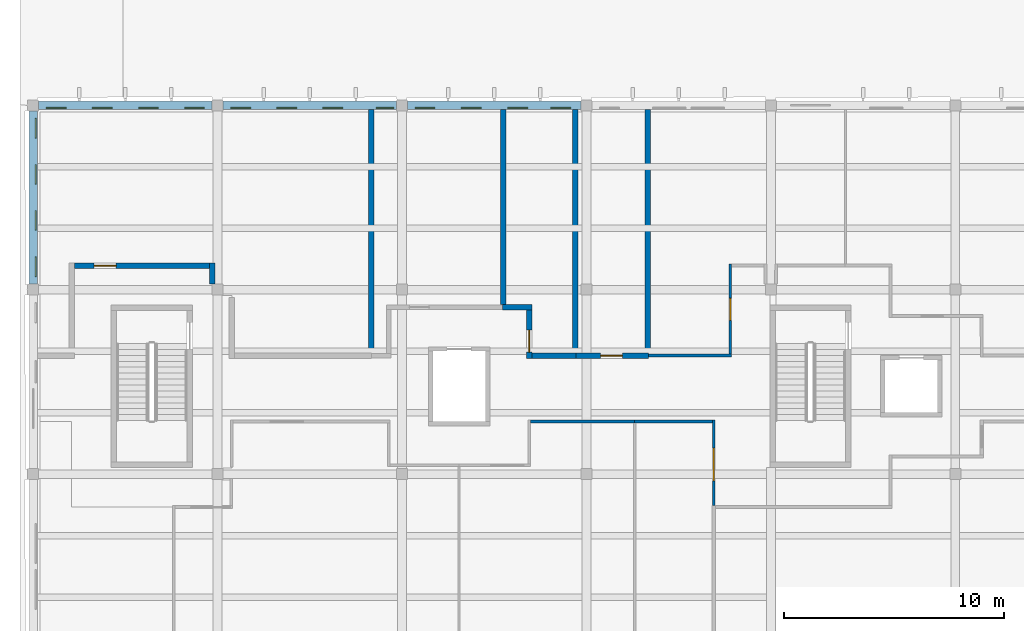
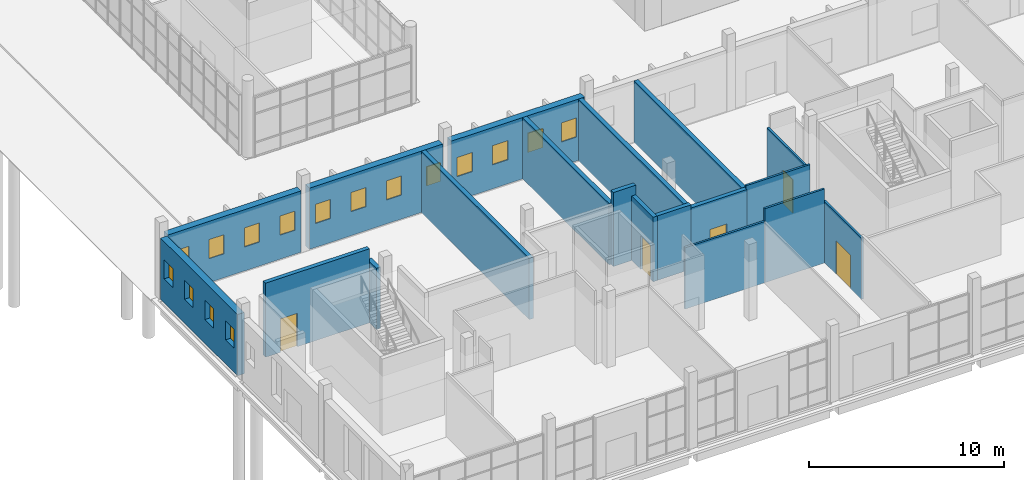
# One storey, part 54 of 110: 19 walls, 16 windows, 5 doors, 21 openings.
"""IFC4 building model written with IfcOpenShell, lengths in metres."""

from ifc_helpers import new_model, si_unit, direction, frame, frame_2d, origin, place, context, subcontext, project, spatial, rectangle, extrude, material, layer, layer_set, type_object, element, fill, save


model = new_model("IFC4")

# Units and contexts
model_context = context("Model", 3, precision=1e-05, world=origin(), true_north=direction((0.0, 1.0)))
body_context = subcontext(model_context, "Body", "Model", "MODEL_VIEW")
ifc_project = project(units=[si_unit("LENGTHUNIT", "METRE"), si_unit("AREAUNIT", "SQUARE_METRE"), si_unit("VOLUMEUNIT", "CUBIC_METRE"), si_unit("PLANEANGLEUNIT", "RADIAN"), si_unit("MASSUNIT", "GRAM", prefix="KILO")], contexts=[model_context])

# Site, building, storey
site_placement = place(None, origin())
site = spatial("IfcSite", under=ifc_project, at=site_placement, CompositionType="ELEMENT")
building_placement = place(site_placement, origin())
building = spatial("IfcBuilding", under=site, at=building_placement, Name="Larchfold Concert Hall", CompositionType="ELEMENT")
storey_placement = place(building_placement, origin())
storey = spatial("IfcBuildingStorey", under=building, at=storey_placement, Name="L00", CompositionType="ELEMENT", Elevation=0.0)

# Wall
ifc_material_1 = material(Name="Plasterboard partition on steel studs", Category="steel")
ifc_layer_1 = layer(ifc_material_1, 0.125)
ifc_layer_set_1 = layer_set([ifc_layer_1], Name="Plasterboard partition on steel studs")
wall_type_1 = type_object("IfcWallType", Name="Corridor partition 125 EI 60", PredefinedType="PARTITIONING", material=ifc_layer_set_1)
wall_1_placement = place(storey_placement, frame((23.262451171875, 11.39990234375, 0.0), z_axis=(0.0, 0.0, 1.0), x_axis=(1.0, 0.0, 0.0)))
element("IfcWall", 1, at=wall_1_placement, inside=storey, type_object=wall_type_1, Name="Partition IW0126", PredefinedType="PARTITIONING", context=body_context, shape_type="SweptSolid", body=[
    extrude(rectangle(XDim=4.737548828125, YDim=0.125, at=frame_2d((2.36865234375, 0.0))), origin(), (0.0, 0.0, 1.0), 3.840087890625),
])

# Wall, opening, door
wall_2_placement = place(storey_placement, frame((31.60009765625, 11.46240234375, 0.0), z_axis=(0.0, 0.0, 1.0), x_axis=(0.0, -1.0, 0.0)))
wall_2 = element("IfcWall", 2, at=wall_2_placement, inside=storey, type_object=wall_type_1, Name="Partition IW0127", PredefinedType="PARTITIONING", context=body_context, shape_type="SweptSolid", body=[
    extrude(rectangle(XDim=3.887451171875, YDim=0.125, at=frame_2d((1.94384765625, 0.0))), origin(), (0.0, 0.0, 1.0), 3.840087890625),
])
opening_1_placement = place(wall_2_placement, frame((1.272216796875, 0.0, 0.0)))
opening_1 = element("IfcOpeningElement", 3, at=opening_1_placement, cuts=wall_2, Name="Opening D-L00-140", PredefinedType="OPENING", context=body_context, shape_type="SweptSolid", body=[
    extrude(rectangle(XDim=1.5, YDim=2.10009765625, at=frame_2d((0.75, 1.050048828125))), frame((0.0, 0.072509765625, 0.0), z_axis=(0.0, -1.0, 0.0), x_axis=(1.0, 0.0, 0.0)), (0.0, 0.0, 1.0), 0.14501953125),
])
ifc_material_2 = material(Name="Timber door leaf", Category="wood")
door_type_1 = type_object("IfcDoorType", Name="Cafe, shop and cloakroom door pair 1500 x 2100 FD30S", OperationType="SINGLE_SWING_LEFT", PredefinedType="DOOR", material=ifc_material_2)
door_1_placement = place(opening_1_placement, origin())
door_1 = element("IfcDoor", 4, at=door_1_placement, inside=storey, type_object=door_type_1, Name="Door D-L00-140", OperationType="DOUBLE_DOOR_SINGLE_SWING", OverallHeight=2.10009765625, OverallWidth=1.5, PredefinedType="DOOR", context=body_context, shape_type="SweptSolid", body=[
    extrude(rectangle(XDim=1.5, YDim=2.10009765625, at=frame_2d((0.75, 1.050048828125))), frame((0.0, 0.02490234375, 0.0), z_axis=(0.0, -1.0, 0.0), x_axis=(1.0, 0.0, 0.0)), (0.0, 0.0, 1.0), 0.050048828125),
])
fill(opening_1, door_1)

# Walls
wall_3_placement = place(storey_placement, frame((28.0, 11.39990234375, 0.0), z_axis=(0.0, 0.0, 1.0), x_axis=(1.0, 0.0, 0.0)))
element("IfcWall", 5, at=wall_3_placement, inside=storey, type_object=wall_type_1, Name="Partition IW0128", PredefinedType="PARTITIONING", context=body_context, shape_type="SweptSolid", body=[
    extrude(rectangle(XDim=3.53759765625, YDim=0.125, at=frame_2d((1.768798828125, 0.0))), origin(), (0.0, 0.0, 1.0), 4.639892578125),
])
wall_4_placement = place(storey_placement, frame((28.6201171875, 14.39892578125, 0.0), z_axis=(0.0, 0.0, 1.0), x_axis=(1.0, 0.0, 0.0)))
element("IfcWall", 6, at=wall_4_placement, inside=storey, type_object=wall_type_1, Name="Partition IW0149", PredefinedType="PARTITIONING", context=body_context, shape_type="SweptSolid", body=[
    extrude(rectangle(XDim=3.79248046875, YDim=0.125, at=frame_2d((1.896240234375, 0.0))), origin(), (0.0, 0.0, 1.0), 4.0400390625),
])

# Wall, opening, door
wall_5_placement = place(storey_placement, frame((32.35009765625, 14.46142578125, 0.0), z_axis=(0.0, 0.0, 1.0), x_axis=(0.000238180296, 0.999999971635, 0.0)))
wall_5 = element("IfcWall", 7, at=wall_5_placement, inside=storey, type_object=wall_type_1, Name="Partition IW0150", PredefinedType="PARTITIONING", context=body_context, shape_type="SweptSolid", body=[
    extrude(rectangle(XDim=4.10009765625, YDim=0.125, at=frame_2d((2.050048828125, 0.0))), origin(), (0.0, 0.0, 1.0), 3.840087890625),
])
opening_2_placement = place(wall_5_placement, frame((1.539794921875, 0.0, 0.0)))
opening_2 = element("IfcOpeningElement", 8, at=opening_2_placement, cuts=wall_5, Name="Opening D-L00-148", PredefinedType="OPENING", context=body_context, shape_type="SweptSolid", body=[
    extrude(rectangle(XDim=1.0, YDim=2.10009765625, at=frame_2d((0.5, 1.050048828125))), frame((0.0, 0.072509765625, 0.0), z_axis=(0.0, -1.0, 0.0), x_axis=(1.0, 0.0, 0.0)), (0.0, 0.0, 1.0), 0.14501953125),
])
ifc_material_3 = material(Name="Timber door leaf", Category="wood")
door_type_2 = type_object("IfcDoorType", Name="Room door 1000 x 2100 FD30S", OperationType="SINGLE_SWING_LEFT", PredefinedType="DOOR", material=ifc_material_3)
door_2_placement = place(opening_2_placement, origin())
door_2 = element("IfcDoor", 9, at=door_2_placement, inside=storey, type_object=door_type_2, Name="Door D-L00-148", OperationType="SINGLE_SWING_LEFT", OverallHeight=2.10009765625, OverallWidth=1.0, PredefinedType="DOOR", context=body_context, shape_type="SweptSolid", body=[
    extrude(rectangle(XDim=1.0, YDim=2.10009765625, at=frame_2d((0.5, 1.050048828125))), frame((0.0, 0.02490234375, 0.0), z_axis=(0.0, -1.0, 0.0), x_axis=(1.0, 0.0, 0.0)), (0.0, 0.0, 1.0), 0.050048828125),
])
fill(opening_2, door_2)

ifc_material_4 = material(Name="Plasterboard partition on steel studs", Category="steel")
ifc_layer_2 = layer(ifc_material_4, 0.25)
ifc_layer_set_2 = layer_set([ifc_layer_2], Name="Plasterboard partition on steel studs")
wall_type_2 = type_object("IfcWallType", Name="Hall acoustic double-leaf partition 250", PredefinedType="PARTITIONING", material=ifc_layer_set_2)
wall_6_placement = place(storey_placement, frame((2.47607421875, 18.4990234375, 0.0), z_axis=(0.0, 0.0, 1.0), x_axis=(1.0, 0.0, 0.0)))
wall_6 = element("IfcWall", 10, at=wall_6_placement, inside=storey, type_object=wall_type_2, Name="Partition IW0131", PredefinedType="PARTITIONING", context=body_context, shape_type="SweptSolid", body=[
    extrude(rectangle(XDim=6.158935546875, YDim=0.25, at=frame_2d((3.07958984375, 0.0))), origin(), (0.0, 0.0, 1.0), 4.639892578125),
])
opening_3_placement = place(wall_6_placement, frame((0.899658203125, 0.0, 0.0)))
opening_3 = element("IfcOpeningElement", 11, at=opening_3_placement, cuts=wall_6, Name="Opening D-L00-141", PredefinedType="OPENING", context=body_context, shape_type="SweptSolid", body=[
    extrude(rectangle(XDim=1.0, YDim=2.10009765625, at=frame_2d((0.5, 1.050048828125))), frame((0.0, 0.135009765625, 0.0), z_axis=(0.0, -1.0, 0.0), x_axis=(1.0, 0.0, 0.0)), (0.0, 0.0, 1.0), 0.27001953125),
])
ifc_material_5 = material(Name="Timber door leaf", Category="wood")
door_type_3 = type_object("IfcDoorType", Name="Practice and studio door, acoustic 1000 x 2100 FD30S", OperationType="SINGLE_SWING_LEFT", PredefinedType="DOOR", material=ifc_material_5)
door_3_placement = place(opening_3_placement, origin())
door_3 = element("IfcDoor", 12, at=door_3_placement, inside=storey, type_object=door_type_3, Name="Door D-L00-141", OperationType="SINGLE_SWING_LEFT", OverallHeight=2.10009765625, OverallWidth=1.0, PredefinedType="DOOR", context=body_context, shape_type="SweptSolid", body=[
    extrude(rectangle(XDim=1.0, YDim=2.10009765625, at=frame_2d((0.5, 1.050048828125))), frame((0.0, 0.02490234375, 0.0), z_axis=(0.0, -1.0, 0.0), x_axis=(1.0, 0.0, 0.0)), (0.0, 0.0, 1.0), 0.050048828125),
])
fill(opening_3, door_3)

# Walls
wall_7_placement = place(storey_placement, frame((8.759521484375, 18.6240234375, 0.0), z_axis=(0.0, 0.0, 1.0), x_axis=(0.0035823721, -0.999993583284, 0.0)))
element("IfcWall", 13, at=wall_7_placement, inside=storey, type_object=wall_type_2, Name="Partition IW0132", PredefinedType="PARTITIONING", context=body_context, shape_type="SweptSolid", body=[
    extrude(rectangle(XDim=0.9541015625, YDim=0.25, at=frame_2d((0.47705078125, 0.0))), origin(), (0.0, 0.0, 1.0), 3.840087890625),
])
wall_8_placement = place(storey_placement, frame((21.97998046875, 16.59912109375, 0.0), z_axis=(0.0, 0.0, 1.0), x_axis=(1.0, 0.0, 0.0)))
element("IfcWall", 14, at=wall_8_placement, inside=storey, type_object=wall_type_2, Name="Partition IW0135", PredefinedType="PARTITIONING", context=body_context, shape_type="SweptSolid", body=[
    extrude(rectangle(XDim=1.343994140625, YDim=0.25, at=frame_2d((0.671875, 0.0))), origin(), (0.0, 0.0, 1.0), 4.639892578125),
])

# Wall, opening, door
wall_9_placement = place(storey_placement, frame((23.198974609375, 16.47412109375, 0.0), z_axis=(0.0, 0.0, 1.0), x_axis=(0.000443852597, -0.999999901497, 0.0)))
wall_9 = element("IfcWall", 15, at=wall_9_placement, inside=storey, type_object=wall_type_2, Name="Partition IW0136", PredefinedType="PARTITIONING", context=body_context, shape_type="SweptSolid", body=[
    extrude(rectangle(XDim=2.2001953125, YDim=0.25, at=frame_2d((1.10009765625, 0.0))), origin(), (0.0, 0.0, 1.0), 4.0400390625),
])
opening_4_placement = place(wall_9_placement, frame((0.91455078125, 0.0, 0.0)))
opening_4 = element("IfcOpeningElement", 16, at=opening_4_placement, cuts=wall_9, Name="Opening D-L00-142", PredefinedType="OPENING", context=body_context, shape_type="SweptSolid", body=[
    extrude(rectangle(XDim=1.0, YDim=2.10009765625, at=frame_2d((0.5, 1.050048828125))), frame((0.0, 0.135009765625, 0.0), z_axis=(0.0, -1.0, 0.0), x_axis=(1.0, 0.0, 0.0)), (0.0, 0.0, 1.0), 0.27001953125),
])
door_4_placement = place(opening_4_placement, origin())
door_4 = element("IfcDoor", 17, at=door_4_placement, inside=storey, type_object=door_type_3, Name="Door D-L00-142", OperationType="SINGLE_SWING_RIGHT", OverallHeight=2.10009765625, OverallWidth=1.0, PredefinedType="DOOR", context=body_context, shape_type="SweptSolid", body=[
    extrude(rectangle(XDim=1.0, YDim=2.10009765625, at=frame_2d((0.5, 1.050048828125))), frame((0.0, 0.02490234375, 0.0), z_axis=(0.0, -1.0, 0.0), x_axis=(1.0, 0.0, 0.0)), (0.0, 0.0, 1.0), 0.050048828125),
])
fill(opening_4, door_4)

# Wall
wall_10_placement = place(storey_placement, frame((23.324951171875, 14.39892578125, 0.0), z_axis=(0.0, 0.0, 1.0), x_axis=(1.0, 0.0, 0.0)))
element("IfcWall", 18, at=wall_10_placement, inside=storey, type_object=wall_type_2, Name="Partition IW0137", PredefinedType="PARTITIONING", context=body_context, shape_type="SweptSolid", body=[
    extrude(rectangle(XDim=1.9951171875, YDim=0.25, at=frame_2d((0.99755859375, 0.0))), origin(), (0.0, 0.0, 1.0), 4.0400390625),
])

# Wall, opening, door
wall_11_placement = place(storey_placement, frame((25.320068359375, 14.39892578125, 0.0), z_axis=(0.0, 0.0, 1.0), x_axis=(1.0, 0.0, 0.0)))
wall_11 = element("IfcWall", 19, at=wall_11_placement, inside=storey, type_object=wall_type_2, Name="Partition IW0138", PredefinedType="PARTITIONING", context=body_context, shape_type="SweptSolid", body=[
    extrude(rectangle(XDim=3.300048828125, YDim=0.25, at=frame_2d((1.64990234375, 0.0))), origin(), (0.0, 0.0, 1.0), 3.840087890625),
])
opening_5_placement = place(wall_11_placement, frame((1.12060546875, 0.0, 0.0)))
opening_5 = element("IfcOpeningElement", 20, at=opening_5_placement, cuts=wall_11, Name="Opening D-L00-143", PredefinedType="OPENING", context=body_context, shape_type="SweptSolid", body=[
    extrude(rectangle(XDim=1.0, YDim=2.10009765625, at=frame_2d((0.5, 1.050048828125))), frame((0.0, 0.135009765625, 0.0), z_axis=(0.0, -1.0, 0.0), x_axis=(1.0, 0.0, 0.0)), (0.0, 0.0, 1.0), 0.27001953125),
])
door_5_placement = place(opening_5_placement, origin())
door_5 = element("IfcDoor", 21, at=door_5_placement, inside=storey, type_object=door_type_3, Name="Door D-L00-143", OperationType="SINGLE_SWING_RIGHT", OverallHeight=2.10009765625, OverallWidth=1.0, PredefinedType="DOOR", context=body_context, shape_type="SweptSolid", body=[
    extrude(rectangle(XDim=1.0, YDim=2.10009765625, at=frame_2d((0.5, 1.050048828125))), frame((0.0, 0.02490234375, 0.0), z_axis=(0.0, -1.0, 0.0), x_axis=(1.0, 0.0, 0.0)), (0.0, 0.0, 1.0), 0.050048828125),
])
fill(opening_5, door_5)

# Walls
for number, where, z_axis, x_axis, name in (
    (22, (16.0, 25.60009765625, 0.0), (0.0, 0.0, 1.0), (0.0, -1.0, 0.0), "Partition IW0156"),
    (23, (25.300048828125, 25.60009765625, 0.0), (0.0, 0.0, 1.0), (0.0, -1.0, 0.0), "Partition IW0157"),
):
    element("IfcWall", number, at=place(storey_placement, frame(where, z_axis=z_axis, x_axis=x_axis)), inside=storey, type_object=wall_type_2, Name=name, PredefinedType="PARTITIONING", context=body_context, shape_type="SweptSolid", body=[
        extrude(rectangle(XDim=11.0751953125, YDim=0.25, at=frame_2d((5.53759765625, 0.0))), origin(), (0.0, 0.0, 1.0), 3.840087890625),
    ])
wall_12_placement = place(storey_placement, frame((22.0, 16.72509765625, 0.0), z_axis=(0.0, 0.0, 1.0), x_axis=(0.0, 1.0, 0.0)))
element("IfcWall", 24, at=wall_12_placement, inside=storey, type_object=wall_type_2, Name="Partition IW0158", PredefinedType="PARTITIONING", context=body_context, shape_type="SweptSolid", body=[
    extrude(rectangle(XDim=8.875, YDim=0.25, at=frame_2d((4.4375, 0.0))), origin(), (0.0, 0.0, 1.0), 3.840087890625),
])
wall_13_placement = place(storey_placement, frame((28.60009765625, 25.60009765625, 0.0), z_axis=(0.0, 0.0, 1.0), x_axis=(0.0, -1.0, 0.0)))
element("IfcWall", 25, at=wall_13_placement, inside=storey, type_object=wall_type_2, Name="Partition IW0159", PredefinedType="PARTITIONING", context=body_context, shape_type="SweptSolid", body=[
    extrude(rectangle(XDim=11.0751953125, YDim=0.25, at=frame_2d((5.53759765625, 0.0))), origin(), (0.0, 0.0, 1.0), 3.840087890625),
])

# Wall, openings, windows
ifc_material_6 = material(Name="Larch cladding on mineral wool and CLT", Category="wood")
ifc_layer_3 = layer(ifc_material_6, 0.39990234375)
ifc_layer_set_3 = layer_set([ifc_layer_3], Name="Larch cladding on mineral wool and CLT")
wall_type_3 = type_object("IfcWallType", Name="Larch clad infill wall 400", PredefinedType="SOLIDWALL", material=ifc_layer_set_3)
wall_14_placement = place(storey_placement, frame((25.550048828125, 25.800048828125, 0.0), z_axis=(0.0, 0.0, 1.0), x_axis=(-1.0, 0.0, 0.0)))
wall_14 = element("IfcWall", 26, at=wall_14_placement, inside=storey, type_object=wall_type_3, Name="Infill wall W5008", PredefinedType="SOLIDWALL", context=body_context, shape_type="SweptSolid", body=[
    extrude(rectangle(XDim=7.900146484375, YDim=0.39990234375, at=frame_2d((3.9501953125, 0.0))), origin(), (0.0, 0.0, 1.0), 3.840087890625),
])
opening_6_placement = place(wall_14_placement, frame((6.650146484375, 0.0, 1.5)))
opening_6 = element("IfcOpeningElement", 27, at=opening_6_placement, cuts=wall_14, Name="Opening WN-L00-012", PredefinedType="OPENING", context=body_context, shape_type="SweptSolid", body=[
    extrude(rectangle(XDim=0.89990234375, YDim=1.199951171875, at=frame_2d((0.449951171875, 0.60009765625))), frame((0.0, 0.2099609375, 0.0), z_axis=(0.0, -1.0, 0.0), x_axis=(1.0, 0.0, 0.0)), (0.0, 0.0, 1.0), 0.419921875),
])
opening_7_placement = place(wall_14_placement, frame((4.550048828125, 0.0, 1.5)))
opening_7 = element("IfcOpeningElement", 28, at=opening_7_placement, cuts=wall_14, Name="Opening WN-L00-013", PredefinedType="OPENING", context=body_context, shape_type="SweptSolid", body=[
    extrude(rectangle(XDim=0.89990234375, YDim=1.199951171875, at=frame_2d((0.449951171875, 0.60009765625))), frame((0.0, 0.2099609375, 0.0), z_axis=(0.0, -1.0, 0.0), x_axis=(1.0, 0.0, 0.0)), (0.0, 0.0, 1.0), 0.419921875),
])
opening_8_placement = place(wall_14_placement, frame((2.425048828125, 0.0, 1.5)))
opening_8 = element("IfcOpeningElement", 29, at=opening_8_placement, cuts=wall_14, Name="Opening WN-L00-014", PredefinedType="OPENING", context=body_context, shape_type="SweptSolid", body=[
    extrude(rectangle(XDim=0.89990234375, YDim=1.199951171875, at=frame_2d((0.449951171875, 0.60009765625))), frame((0.0, 0.2099609375, 0.0), z_axis=(0.0, -1.0, 0.0), x_axis=(1.0, 0.0, 0.0)), (0.0, 0.0, 1.0), 0.419921875),
])
opening_9_placement = place(wall_14_placement, frame((0.47509765625, 0.0, 1.5)))
opening_9 = element("IfcOpeningElement", 30, at=opening_9_placement, cuts=wall_14, Name="Opening WN-L00-015", PredefinedType="OPENING", context=body_context, shape_type="SweptSolid", body=[
    extrude(rectangle(XDim=0.89990234375, YDim=1.199951171875, at=frame_2d((0.449951171875, 0.60009765625))), frame((0.0, 0.2099609375, 0.0), z_axis=(0.0, -1.0, 0.0), x_axis=(1.0, 0.0, 0.0)), (0.0, 0.0, 1.0), 0.419921875),
])
ifc_material_7 = material(Name="Anodised graphite aluminium frame with laminated acoustic glass", Category="aluminium")
window_type_1 = type_object("IfcWindowType", Name="Recording studio window 900x1200", PartitioningType="SINGLE_PANEL", PredefinedType="WINDOW", material=ifc_material_7)
window_1_placement = place(opening_6_placement, origin())
window_1 = element("IfcWindow", 31, at=window_1_placement, inside=storey, type_object=window_type_1, Name="Window WN-L00-012", OverallHeight=1.199951171875, OverallWidth=0.89990234375, PartitioningType="SINGLE_PANEL", PredefinedType="WINDOW", context=body_context, shape_type="SweptSolid", body=[
    extrude(rectangle(XDim=0.89990234375, YDim=1.199951171875, at=frame_2d((0.449951171875, 0.60009765625))), frame((0.0, 0.150146484375, 0.0), z_axis=(0.0, -1.0, 0.0), x_axis=(1.0, 0.0, 0.0)), (0.0, 0.0, 1.0), 0.06005859375),
])
fill(opening_6, window_1)
window_2_placement = place(opening_7_placement, origin())
window_2 = element("IfcWindow", 32, at=window_2_placement, inside=storey, type_object=window_type_1, Name="Window WN-L00-013", OverallHeight=1.199951171875, OverallWidth=0.89990234375, PartitioningType="SINGLE_PANEL", PredefinedType="WINDOW", context=body_context, shape_type="SweptSolid", body=[
    extrude(rectangle(XDim=0.89990234375, YDim=1.199951171875, at=frame_2d((0.449951171875, 0.60009765625))), frame((0.0, 0.150146484375, 0.0), z_axis=(0.0, -1.0, 0.0), x_axis=(1.0, 0.0, 0.0)), (0.0, 0.0, 1.0), 0.06005859375),
])
fill(opening_7, window_2)
window_3_placement = place(opening_8_placement, origin())
window_3 = element("IfcWindow", 33, at=window_3_placement, inside=storey, type_object=window_type_1, Name="Window WN-L00-014", OverallHeight=1.199951171875, OverallWidth=0.89990234375, PartitioningType="SINGLE_PANEL", PredefinedType="WINDOW", context=body_context, shape_type="SweptSolid", body=[
    extrude(rectangle(XDim=0.89990234375, YDim=1.199951171875, at=frame_2d((0.449951171875, 0.60009765625))), frame((0.0, 0.150146484375, 0.0), z_axis=(0.0, -1.0, 0.0), x_axis=(1.0, 0.0, 0.0)), (0.0, 0.0, 1.0), 0.06005859375),
])
fill(opening_8, window_3)
window_4_placement = place(opening_9_placement, origin())
window_4 = element("IfcWindow", 34, at=window_4_placement, inside=storey, type_object=window_type_1, Name="Window WN-L00-015", OverallHeight=1.199951171875, OverallWidth=0.89990234375, PartitioningType="SINGLE_PANEL", PredefinedType="WINDOW", context=body_context, shape_type="SweptSolid", body=[
    extrude(rectangle(XDim=0.89990234375, YDim=1.199951171875, at=frame_2d((0.449951171875, 0.60009765625))), frame((0.0, 0.150146484375, 0.0), z_axis=(0.0, -1.0, 0.0), x_axis=(1.0, 0.0, 0.0)), (0.0, 0.0, 1.0), 0.06005859375),
])
fill(opening_9, window_4)

wall_15_placement = place(storey_placement, frame((17.14990234375, 25.800048828125, 0.0), z_axis=(0.0, 0.0, 1.0), x_axis=(-1.0, 0.0, 0.0)))
wall_15 = element("IfcWall", 35, at=wall_15_placement, inside=storey, type_object=wall_type_3, Name="Infill wall W5009", PredefinedType="SOLIDWALL", context=body_context, shape_type="SweptSolid", body=[
    extrude(rectangle(XDim=7.89990234375, YDim=0.39990234375, at=frame_2d((3.949951171875, 0.0))), origin(), (0.0, 0.0, 1.0), 3.840087890625),
])
opening_10_placement = place(wall_15_placement, frame((6.64990234375, 0.0, 1.5)))
opening_10 = element("IfcOpeningElement", 36, at=opening_10_placement, cuts=wall_15, Name="Opening WN-L00-016", PredefinedType="OPENING", context=body_context, shape_type="SweptSolid", body=[
    extrude(rectangle(XDim=0.89990234375, YDim=1.199951171875, at=frame_2d((0.449951171875, 0.60009765625))), frame((0.0, 0.2099609375, 0.0), z_axis=(0.0, -1.0, 0.0), x_axis=(1.0, 0.0, 0.0)), (0.0, 0.0, 1.0), 0.419921875),
])
opening_11_placement = place(wall_15_placement, frame((4.5498046875, 0.0, 1.5)))
opening_11 = element("IfcOpeningElement", 37, at=opening_11_placement, cuts=wall_15, Name="Opening WN-L00-017", PredefinedType="OPENING", context=body_context, shape_type="SweptSolid", body=[
    extrude(rectangle(XDim=0.89990234375, YDim=1.199951171875, at=frame_2d((0.449951171875, 0.60009765625))), frame((0.0, 0.2099609375, 0.0), z_axis=(0.0, -1.0, 0.0), x_axis=(1.0, 0.0, 0.0)), (0.0, 0.0, 1.0), 0.419921875),
])
opening_12_placement = place(wall_15_placement, frame((2.449951171875, 0.0, 1.5)))
opening_12 = element("IfcOpeningElement", 38, at=opening_12_placement, cuts=wall_15, Name="Opening WN-L00-018", PredefinedType="OPENING", context=body_context, shape_type="SweptSolid", body=[
    extrude(rectangle(XDim=0.89990234375, YDim=1.199951171875, at=frame_2d((0.449951171875, 0.60009765625))), frame((0.0, 0.2099609375, 0.0), z_axis=(0.0, -1.0, 0.0), x_axis=(1.0, 0.0, 0.0)), (0.0, 0.0, 1.0), 0.419921875),
])
opening_13_placement = place(wall_15_placement, frame((0.122314453125, 0.0, 1.5)))
opening_13 = element("IfcOpeningElement", 39, at=opening_13_placement, cuts=wall_15, Name="Opening WN-L00-019", PredefinedType="OPENING", context=body_context, shape_type="SweptSolid", body=[
    extrude(rectangle(XDim=0.800048828125, YDim=1.199951171875, at=frame_2d((0.39990234375, 0.60009765625))), frame((0.0, 0.2099609375, 0.0), z_axis=(0.0, -1.0, 0.0), x_axis=(1.0, 0.0, 0.0)), (0.0, 0.0, 1.0), 0.419921875),
])
ifc_material_8 = material(Name="Anodised graphite aluminium frame with laminated acoustic glass", Category="aluminium")
window_type_2 = type_object("IfcWindowType", Name="Recording studio window 800x1200", PartitioningType="SINGLE_PANEL", PredefinedType="WINDOW", material=ifc_material_8)
window_5_placement = place(opening_13_placement, origin())
window_5 = element("IfcWindow", 40, at=window_5_placement, inside=storey, type_object=window_type_2, Name="Window WN-L00-019", OverallHeight=1.199951171875, OverallWidth=0.800048828125, PartitioningType="SINGLE_PANEL", PredefinedType="WINDOW", context=body_context, shape_type="SweptSolid", body=[
    extrude(rectangle(XDim=0.800048828125, YDim=1.199951171875, at=frame_2d((0.39990234375, 0.60009765625))), frame((0.0, 0.150146484375, 0.0), z_axis=(0.0, -1.0, 0.0), x_axis=(1.0, 0.0, 0.0)), (0.0, 0.0, 1.0), 0.06005859375),
])
fill(opening_13, window_5)
window_6_placement = place(opening_10_placement, origin())
window_6 = element("IfcWindow", 41, at=window_6_placement, inside=storey, type_object=window_type_1, Name="Window WN-L00-016", OverallHeight=1.199951171875, OverallWidth=0.89990234375, PartitioningType="SINGLE_PANEL", PredefinedType="WINDOW", context=body_context, shape_type="SweptSolid", body=[
    extrude(rectangle(XDim=0.89990234375, YDim=1.199951171875, at=frame_2d((0.449951171875, 0.60009765625))), frame((0.0, 0.150146484375, 0.0), z_axis=(0.0, -1.0, 0.0), x_axis=(1.0, 0.0, 0.0)), (0.0, 0.0, 1.0), 0.06005859375),
])
fill(opening_10, window_6)
window_7_placement = place(opening_11_placement, origin())
window_7 = element("IfcWindow", 42, at=window_7_placement, inside=storey, type_object=window_type_1, Name="Window WN-L00-017", OverallHeight=1.199951171875, OverallWidth=0.89990234375, PartitioningType="SINGLE_PANEL", PredefinedType="WINDOW", context=body_context, shape_type="SweptSolid", body=[
    extrude(rectangle(XDim=0.89990234375, YDim=1.199951171875, at=frame_2d((0.449951171875, 0.60009765625))), frame((0.0, 0.150146484375, 0.0), z_axis=(0.0, -1.0, 0.0), x_axis=(1.0, 0.0, 0.0)), (0.0, 0.0, 1.0), 0.06005859375),
])
fill(opening_11, window_7)
window_8_placement = place(opening_12_placement, origin())
window_8 = element("IfcWindow", 43, at=window_8_placement, inside=storey, type_object=window_type_1, Name="Window WN-L00-018", OverallHeight=1.199951171875, OverallWidth=0.89990234375, PartitioningType="SINGLE_PANEL", PredefinedType="WINDOW", context=body_context, shape_type="SweptSolid", body=[
    extrude(rectangle(XDim=0.89990234375, YDim=1.199951171875, at=frame_2d((0.449951171875, 0.60009765625))), frame((0.0, 0.150146484375, 0.0), z_axis=(0.0, -1.0, 0.0), x_axis=(1.0, 0.0, 0.0)), (0.0, 0.0, 1.0), 0.06005859375),
])
fill(opening_12, window_8)

wall_16_placement = place(storey_placement, frame((8.75, 25.800048828125, 0.0), z_axis=(0.0, 0.0, 1.0), x_axis=(-1.0, 0.0, 0.0)))
wall_16 = element("IfcWall", 44, at=wall_16_placement, inside=storey, type_object=wall_type_3, Name="Infill wall W5010", PredefinedType="SOLIDWALL", context=body_context, shape_type="SweptSolid", body=[
    extrude(rectangle(XDim=7.89990234375, YDim=0.39990234375, at=frame_2d((3.949951171875, 0.0))), origin(), (0.0, 0.0, 1.0), 3.840087890625),
])
opening_14_placement = place(wall_16_placement, frame((6.64990234375, 0.0, 1.5)))
opening_14 = element("IfcOpeningElement", 45, at=opening_14_placement, cuts=wall_16, Name="Opening WN-L00-020", PredefinedType="OPENING", context=body_context, shape_type="SweptSolid", body=[
    extrude(rectangle(XDim=0.89990234375, YDim=1.199951171875, at=frame_2d((0.449951171875, 0.60009765625))), frame((0.0, 0.2099609375, 0.0), z_axis=(0.0, -1.0, 0.0), x_axis=(1.0, 0.0, 0.0)), (0.0, 0.0, 1.0), 0.419921875),
])
opening_15_placement = place(wall_16_placement, frame((4.550048828125, 0.0, 1.5)))
opening_15 = element("IfcOpeningElement", 46, at=opening_15_placement, cuts=wall_16, Name="Opening WN-L00-021", PredefinedType="OPENING", context=body_context, shape_type="SweptSolid", body=[
    extrude(rectangle(XDim=0.89990234375, YDim=1.199951171875, at=frame_2d((0.449951171875, 0.60009765625))), frame((0.0, 0.2099609375, 0.0), z_axis=(0.0, -1.0, 0.0), x_axis=(1.0, 0.0, 0.0)), (0.0, 0.0, 1.0), 0.419921875),
])
opening_16_placement = place(wall_16_placement, frame((2.449951171875, 0.0, 1.5)))
opening_16 = element("IfcOpeningElement", 47, at=opening_16_placement, cuts=wall_16, Name="Opening WN-L00-022", PredefinedType="OPENING", context=body_context, shape_type="SweptSolid", body=[
    extrude(rectangle(XDim=0.89990234375, YDim=1.199951171875, at=frame_2d((0.449951171875, 0.60009765625))), frame((0.0, 0.2099609375, 0.0), z_axis=(0.0, -1.0, 0.0), x_axis=(1.0, 0.0, 0.0)), (0.0, 0.0, 1.0), 0.419921875),
])
opening_17_placement = place(wall_16_placement, frame((0.35009765625, 0.0, 1.5)))
opening_17 = element("IfcOpeningElement", 48, at=opening_17_placement, cuts=wall_16, Name="Opening WN-L00-023", PredefinedType="OPENING", context=body_context, shape_type="SweptSolid", body=[
    extrude(rectangle(XDim=0.89990234375, YDim=1.199951171875, at=frame_2d((0.449951171875, 0.60009765625))), frame((0.0, 0.2099609375, 0.0), z_axis=(0.0, -1.0, 0.0), x_axis=(1.0, 0.0, 0.0)), (0.0, 0.0, 1.0), 0.419921875),
])
window_9_placement = place(opening_14_placement, origin())
window_9 = element("IfcWindow", 49, at=window_9_placement, inside=storey, type_object=window_type_1, Name="Window WN-L00-020", OverallHeight=1.199951171875, OverallWidth=0.89990234375, PartitioningType="SINGLE_PANEL", PredefinedType="WINDOW", context=body_context, shape_type="SweptSolid", body=[
    extrude(rectangle(XDim=0.89990234375, YDim=1.199951171875, at=frame_2d((0.449951171875, 0.60009765625))), frame((0.0, 0.150146484375, 0.0), z_axis=(0.0, -1.0, 0.0), x_axis=(1.0, 0.0, 0.0)), (0.0, 0.0, 1.0), 0.06005859375),
])
fill(opening_14, window_9)
window_10_placement = place(opening_15_placement, origin())
window_10 = element("IfcWindow", 50, at=window_10_placement, inside=storey, type_object=window_type_1, Name="Window WN-L00-021", OverallHeight=1.199951171875, OverallWidth=0.89990234375, PartitioningType="SINGLE_PANEL", PredefinedType="WINDOW", context=body_context, shape_type="SweptSolid", body=[
    extrude(rectangle(XDim=0.89990234375, YDim=1.199951171875, at=frame_2d((0.449951171875, 0.60009765625))), frame((0.0, 0.150146484375, 0.0), z_axis=(0.0, -1.0, 0.0), x_axis=(1.0, 0.0, 0.0)), (0.0, 0.0, 1.0), 0.06005859375),
])
fill(opening_15, window_10)
window_11_placement = place(opening_16_placement, origin())
window_11 = element("IfcWindow", 51, at=window_11_placement, inside=storey, type_object=window_type_1, Name="Window WN-L00-022", OverallHeight=1.199951171875, OverallWidth=0.89990234375, PartitioningType="SINGLE_PANEL", PredefinedType="WINDOW", context=body_context, shape_type="SweptSolid", body=[
    extrude(rectangle(XDim=0.89990234375, YDim=1.199951171875, at=frame_2d((0.449951171875, 0.60009765625))), frame((0.0, 0.150146484375, 0.0), z_axis=(0.0, -1.0, 0.0), x_axis=(1.0, 0.0, 0.0)), (0.0, 0.0, 1.0), 0.06005859375),
])
fill(opening_16, window_11)
window_12_placement = place(opening_17_placement, origin())
window_12 = element("IfcWindow", 52, at=window_12_placement, inside=storey, type_object=window_type_1, Name="Window WN-L00-023", OverallHeight=1.199951171875, OverallWidth=0.89990234375, PartitioningType="SINGLE_PANEL", PredefinedType="WINDOW", context=body_context, shape_type="SweptSolid", body=[
    extrude(rectangle(XDim=0.89990234375, YDim=1.199951171875, at=frame_2d((0.449951171875, 0.60009765625))), frame((0.0, 0.150146484375, 0.0), z_axis=(0.0, -1.0, 0.0), x_axis=(1.0, 0.0, 0.0)), (0.0, 0.0, 1.0), 0.06005859375),
])
fill(opening_17, window_12)

wall_17_placement = place(storey_placement, frame((0.60009765625, 25.550048828125, 0.0), z_axis=(0.0, 0.0, 1.0), x_axis=(0.0, -1.0, 0.0)))
wall_17 = element("IfcWall", 53, at=wall_17_placement, inside=storey, type_object=wall_type_3, Name="Infill wall W5011", PredefinedType="SOLIDWALL", context=body_context, shape_type="SweptSolid", body=[
    extrude(rectangle(XDim=7.900146484375, YDim=0.39990234375, at=frame_2d((3.9501953125, 0.0))), origin(), (0.0, 0.0, 1.0), 3.840087890625),
])
opening_18_placement = place(wall_17_placement, frame((6.650146484375, 0.0, 1.5)))
opening_18 = element("IfcOpeningElement", 54, at=opening_18_placement, cuts=wall_17, Name="Opening WN-L00-024", PredefinedType="OPENING", context=body_context, shape_type="SweptSolid", body=[
    extrude(rectangle(XDim=0.89990234375, YDim=1.199951171875, at=frame_2d((0.449951171875, 0.60009765625))), frame((0.0, 0.2099609375, 0.0), z_axis=(0.0, -1.0, 0.0), x_axis=(1.0, 0.0, 0.0)), (0.0, 0.0, 1.0), 0.419921875),
])
opening_19_placement = place(wall_17_placement, frame((4.550048828125, 0.0, 1.5)))
opening_19 = element("IfcOpeningElement", 55, at=opening_19_placement, cuts=wall_17, Name="Opening WN-L00-025", PredefinedType="OPENING", context=body_context, shape_type="SweptSolid", body=[
    extrude(rectangle(XDim=0.89990234375, YDim=1.199951171875, at=frame_2d((0.449951171875, 0.60009765625))), frame((0.0, 0.2099609375, 0.0), z_axis=(0.0, -1.0, 0.0), x_axis=(1.0, 0.0, 0.0)), (0.0, 0.0, 1.0), 0.419921875),
])
opening_20_placement = place(wall_17_placement, frame((2.449951171875, 0.0, 1.5)))
opening_20 = element("IfcOpeningElement", 56, at=opening_20_placement, cuts=wall_17, Name="Opening WN-L00-026", PredefinedType="OPENING", context=body_context, shape_type="SweptSolid", body=[
    extrude(rectangle(XDim=0.89990234375, YDim=1.199951171875, at=frame_2d((0.449951171875, 0.60009765625))), frame((0.0, 0.2099609375, 0.0), z_axis=(0.0, -1.0, 0.0), x_axis=(1.0, 0.0, 0.0)), (0.0, 0.0, 1.0), 0.419921875),
])
opening_21_placement = place(wall_17_placement, frame((0.35009765625, 0.0, 1.5)))
opening_21 = element("IfcOpeningElement", 57, at=opening_21_placement, cuts=wall_17, Name="Opening WN-L00-027", PredefinedType="OPENING", context=body_context, shape_type="SweptSolid", body=[
    extrude(rectangle(XDim=0.89990234375, YDim=1.199951171875, at=frame_2d((0.449951171875, 0.60009765625))), frame((0.0, 0.2099609375, 0.0), z_axis=(0.0, -1.0, 0.0), x_axis=(1.0, 0.0, 0.0)), (0.0, 0.0, 1.0), 0.419921875),
])
window_13_placement = place(opening_18_placement, origin())
window_13 = element("IfcWindow", 58, at=window_13_placement, inside=storey, type_object=window_type_1, Name="Window WN-L00-024", OverallHeight=1.199951171875, OverallWidth=0.89990234375, PartitioningType="SINGLE_PANEL", PredefinedType="WINDOW", context=body_context, shape_type="SweptSolid", body=[
    extrude(rectangle(XDim=0.89990234375, YDim=1.199951171875, at=frame_2d((0.449951171875, 0.60009765625))), frame((0.0, 0.150146484375, 0.0), z_axis=(0.0, -1.0, 0.0), x_axis=(1.0, 0.0, 0.0)), (0.0, 0.0, 1.0), 0.06005859375),
])
fill(opening_18, window_13)
window_14_placement = place(opening_19_placement, origin())
window_14 = element("IfcWindow", 59, at=window_14_placement, inside=storey, type_object=window_type_1, Name="Window WN-L00-025", OverallHeight=1.199951171875, OverallWidth=0.89990234375, PartitioningType="SINGLE_PANEL", PredefinedType="WINDOW", context=body_context, shape_type="SweptSolid", body=[
    extrude(rectangle(XDim=0.89990234375, YDim=1.199951171875, at=frame_2d((0.449951171875, 0.60009765625))), frame((0.0, 0.150146484375, 0.0), z_axis=(0.0, -1.0, 0.0), x_axis=(1.0, 0.0, 0.0)), (0.0, 0.0, 1.0), 0.06005859375),
])
fill(opening_19, window_14)
window_15_placement = place(opening_20_placement, origin())
window_15 = element("IfcWindow", 60, at=window_15_placement, inside=storey, type_object=window_type_1, Name="Window WN-L00-026", OverallHeight=1.199951171875, OverallWidth=0.89990234375, PartitioningType="SINGLE_PANEL", PredefinedType="WINDOW", context=body_context, shape_type="SweptSolid", body=[
    extrude(rectangle(XDim=0.89990234375, YDim=1.199951171875, at=frame_2d((0.449951171875, 0.60009765625))), frame((0.0, 0.150146484375, 0.0), z_axis=(0.0, -1.0, 0.0), x_axis=(1.0, 0.0, 0.0)), (0.0, 0.0, 1.0), 0.06005859375),
])
fill(opening_20, window_15)
window_16_placement = place(opening_21_placement, origin())
window_16 = element("IfcWindow", 61, at=window_16_placement, inside=storey, type_object=window_type_1, Name="Window WN-L00-027", OverallHeight=1.199951171875, OverallWidth=0.89990234375, PartitioningType="SINGLE_PANEL", PredefinedType="WINDOW", context=body_context, shape_type="SweptSolid", body=[
    extrude(rectangle(XDim=0.89990234375, YDim=1.199951171875, at=frame_2d((0.449951171875, 0.60009765625))), frame((0.0, 0.150146484375, 0.0), z_axis=(0.0, -1.0, 0.0), x_axis=(1.0, 0.0, 0.0)), (0.0, 0.0, 1.0), 0.06005859375),
])
fill(opening_21, window_16)

save(model, "model.ifc")
